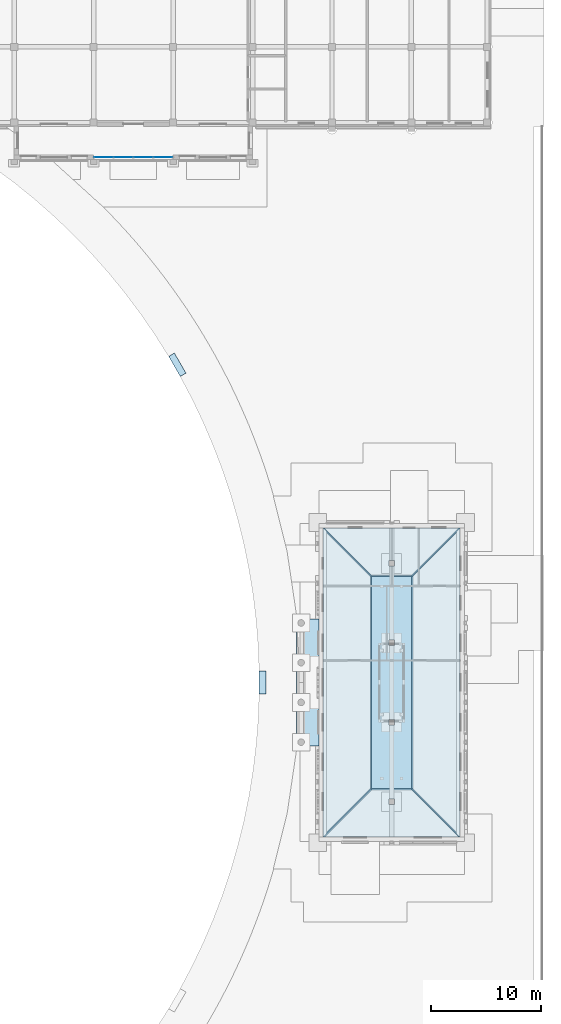
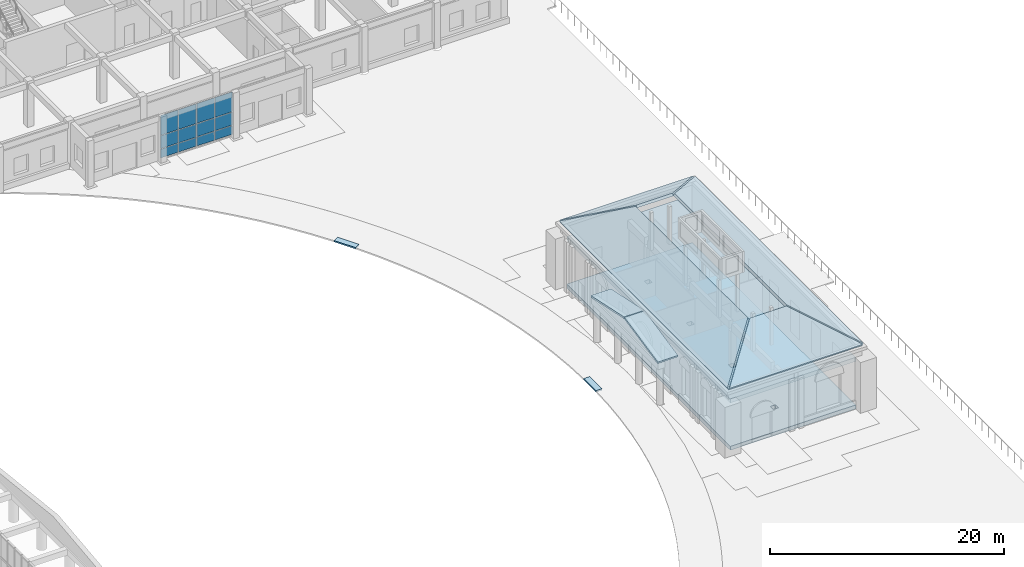
# One storey, part 71 of 131: 12 plates, 10 slabs, 1 element without a shape of its own.
"""IFC4 building model written with IfcOpenShell, lengths in metres."""

import ifcopenshell
import ifcopenshell.guid

model = None  # the IFC model being written
_history = None  # IfcOwnerHistory: only IFC2X3 demands one
_inside = {}  # id of a spatial element -> (the spatial element, [elements in it])
_under = {}  # id of a project, library or spatial element -> (it, [spatial elements below it])
_declared = {}  # id of a project -> (the project, [libraries it declares])
_typed = {}  # id of a type object -> (the type object, [elements of that type])
_made_of = {}  # id of a material, layer set ... -> (it, [elements and type objects made of it])


def new_model(schema):
    """Start an empty IFC model of exactly this schema.

    Asked for "IFC4X3", IfcOpenShell would pick the latest addendum, in which some entities
    have other attributes; the version numbers below select the first issue.
    IFC2X3 requires an IfcOwnerHistory on every rooted entity: one is made here for all.
    """
    global model, _history
    if schema == "IFC4X3":
        model = ifcopenshell.file(schema_version=(4, 3, 0, 0))
    else:
        model = ifcopenshell.file(schema=schema)
    _inside.clear()
    _under.clear()
    _declared.clear()
    _typed.clear()
    _made_of.clear()
    _history = None
    if model.schema == "IFC2X3":
        org = make("IfcOrganization", Name="unknown")
        user = make(
            "IfcPersonAndOrganization",
            ThePerson=make("IfcPerson", FamilyName="unknown"),
            TheOrganization=org,
        )
        app = make(
            "IfcApplication",
            ApplicationDeveloper=org,
            Version="unknown",
            ApplicationFullName="unknown",
            ApplicationIdentifier="unknown",
        )
        _history = make(
            "IfcOwnerHistory",
            OwningUser=user,
            OwningApplication=app,
            ChangeAction="ADDED",
            CreationDate=0,
        )
    return model


def make(cls, **values):
    """One entity of the class cls with the attributes given. An attribute that is None is left unset."""
    return model.create_entity(
        cls, **{name: value for name, value in values.items() if value is not None}
    )


def rooted(cls, **values):
    """An entity with a GlobalId (a new one), such as an element, a storey or a relation."""
    return make(cls, GlobalId=ifcopenshell.guid.new(), OwnerHistory=_history, **values)


def si_unit(unit_type, name, prefix=None):
    """IfcSIUnit, for example si_unit("LENGTHUNIT", "METRE", prefix="MILLI")."""
    return make("IfcSIUnit", UnitType=unit_type, Prefix=prefix, Name=name)


def assignment(units):
    """IfcUnitAssignment: the units of a project."""
    return None if units is None else make("IfcUnitAssignment", Units=units)


def point(xyz):
    """IfcCartesianPoint."""
    return None if xyz is None else make("IfcCartesianPoint", Coordinates=xyz)


def direction(xyz):
    """IfcDirection."""
    return None if xyz is None else make("IfcDirection", DirectionRatios=xyz)


def frame(location, z_axis=None, x_axis=None):
    """IfcAxis2Placement3D, a coordinate frame: its origin and axes. An axis left out is left unset."""
    return make(
        "IfcAxis2Placement3D",
        Location=point(location),
        Axis=direction(z_axis),
        RefDirection=direction(x_axis),
    )


def frame_2d(location, x_axis=None):
    """IfcAxis2Placement2D, a coordinate frame in the plane: its origin and x axis."""
    return make(
        "IfcAxis2Placement2D", Location=point(location), RefDirection=direction(x_axis)
    )


def origin():
    """The frame at (0, 0, 0) with its axes left unset."""
    return frame((0.0, 0.0, 0.0))


def origin_2d():
    """The frame at (0, 0) in the plane with its x axis left unset."""
    return frame_2d((0.0, 0.0))


def place(relative_to, where):
    """IfcLocalPlacement: puts the frame where relative to a parent placement (None: the world)."""
    return make(
        "IfcLocalPlacement", PlacementRelTo=relative_to, RelativePlacement=where
    )


def context(
    kind, dimensions, precision=None, world=None, true_north=None, identifier=None
):
    """IfcGeometricRepresentationContext, for example the 3D "Model" context."""
    return make(
        "IfcGeometricRepresentationContext",
        ContextIdentifier=identifier,
        ContextType=kind,
        CoordinateSpaceDimension=dimensions,
        Precision=precision,
        WorldCoordinateSystem=world,
        TrueNorth=true_north,
    )


def subcontext(parent, identifier, kind, view, scale=None):
    """IfcGeometricRepresentationSubContext, for example "Body" below "Model"."""
    return make(
        "IfcGeometricRepresentationSubContext",
        ContextIdentifier=identifier,
        ContextType=kind,
        ParentContext=parent,
        TargetScale=scale,
        TargetView=view,
    )


def project(units=None, contexts=None):
    """IfcProject with its units and contexts."""
    return rooted(
        "IfcProject",
        Name="project",
        RepresentationContexts=contexts,
        UnitsInContext=assignment(units),
    )


def spatial(cls, under=None, at=None, **own):
    """A site, building, storey or space (cls), placed at a placement, below another one or the project."""
    s = rooted(cls, ObjectPlacement=at, **own)
    if under is not None:
        _under.setdefault(under.id(), (under, []))[1].append(s)
    return s


def polyline(points):
    """IfcPolyline through the points."""
    return make("IfcPolyline", Points=[point(p) for p in points])


def profile(cls, at=None, kind="AREA", **sizes):
    """A parametric profile (cls). Its sizes go by their IFC names, for example OverallWidth=200.0."""
    return make(cls, ProfileType=kind, Position=at, **sizes)


def rectangle(**sizes):
    """IfcRectangleProfileDef."""
    return profile("IfcRectangleProfileDef", **sizes)


def outline(outer, holes=None, kind="AREA"):
    """IfcArbitraryClosedProfileDef: a profile drawn as a closed curve; with holes, ...WithVoids."""
    if holes is None:
        return make("IfcArbitraryClosedProfileDef", ProfileType=kind, OuterCurve=outer)
    return make(
        "IfcArbitraryProfileDefWithVoids",
        ProfileType=kind,
        OuterCurve=outer,
        InnerCurves=holes,
    )


def extrude(swept, where, along, depth):
    """IfcExtrudedAreaSolid: the profile swept, set in the frame where, extruded along a direction by depth."""
    return make(
        "IfcExtrudedAreaSolid",
        SweptArea=swept,
        Position=where,
        ExtrudedDirection=direction(along),
        Depth=depth,
    )


def shape(context_of_items, identifier, shape_type, items):
    """IfcShapeRepresentation: the items that make up one representation, for example the "Body"."""
    return make(
        "IfcShapeRepresentation",
        ContextOfItems=context_of_items,
        RepresentationIdentifier=identifier,
        RepresentationType=shape_type,
        Items=items,
    )


def material(Name=None, Category=None):
    """IfcMaterial."""
    return make("IfcMaterial", Name=Name, Category=Category)


def layer(
    of_material, thickness, ventilated=None, Name=None, Category=None, Priority=None
):
    """IfcMaterialLayer: one layer of a wall or slab, of a material (None: an air gap)."""
    return make(
        "IfcMaterialLayer",
        Material=of_material,
        LayerThickness=thickness,
        IsVentilated=ventilated,
        Name=Name,
        Category=Category,
        Priority=Priority,
    )


def layer_set(layers, Name=None):
    """IfcMaterialLayerSet."""
    return make("IfcMaterialLayerSet", MaterialLayers=layers, LayerSetName=Name)


def made_of(thing, what):
    """Note that an element or type object is made of a material, layer set ...; save() writes the relation."""
    if what is not None:
        _made_of.setdefault(what.id(), (what, []))[1].append(thing)
    return thing


def type_object(cls, material=None, **own):
    """A type object (cls), such as IfcWallType, which elements share."""
    return made_of(rooted(cls, **own), material)


def element(
    cls,
    number,
    at=None,
    inside=None,
    cuts=None,
    type_object=None,
    material=None,
    context=None,
    identifier="Body",
    shape_type=None,
    held_by="IfcProductDefinitionShape",
    body=None,
    shapes=None,
    **own,
):
    """One element of the class cls, such as IfcWall. Its Tag is "e" and its number.

    at: its placement. inside: the storey or other place that contains it. cuts: it is an
    opening in that element (IfcRelVoidsElement). A single representation is given by context,
    identifier, shape_type and body (its items); several are given by shapes. held_by: the class
    of the entity that holds the representations. save() writes the other relations.
    """
    e = rooted(cls, Tag="e%d" % number, ObjectPlacement=at, **own)
    if body is not None:
        shapes = [shape(context, identifier, shape_type, body)]
    if shapes is not None:
        e.Representation = make(held_by, Representations=shapes)
    if inside is not None:
        _inside.setdefault(inside.id(), (inside, []))[1].append(e)
    if cuts is not None:
        rooted(
            "IfcRelVoidsElement", RelatingBuildingElement=cuts, RelatedOpeningElement=e
        )
    if type_object is not None:
        _typed.setdefault(type_object.id(), (type_object, []))[1].append(e)
    return made_of(e, material)


def aggregate(whole, parts):
    """IfcRelAggregates: a whole, such as a stair, and the parts it consists of."""
    return rooted("IfcRelAggregates", RelatingObject=whole, RelatedObjects=parts)


def save(model, path):
    """Write the relations noted so far, then the file.

    IfcRelAggregates (storeys below a building ...), IfcRelContainedInSpatialStructure (elements
    in a storey), IfcRelDefinesByType, IfcRelAssociatesMaterial and IfcRelDeclares: one each for
    every whole, place, type object, material and project.
    """
    for whole, parts in _under.values():
        aggregate(whole, parts)
    for where, things in _inside.values():
        rooted(
            "IfcRelContainedInSpatialStructure",
            RelatedElements=things,
            RelatingStructure=where,
        )
    for kind, things in _typed.values():
        rooted("IfcRelDefinesByType", RelatedObjects=things, RelatingType=kind)
    for what, things in _made_of.values():
        rooted("IfcRelAssociatesMaterial", RelatedObjects=things, RelatingMaterial=what)
    for by, libraries in _declared.values():
        rooted("IfcRelDeclares", RelatingContext=by, RelatedDefinitions=libraries)
    model.write(path)


model = new_model("IFC4")

# Units and contexts
model_context = context("Model", 3, precision=1e-05, world=origin(), true_north=direction((0.0, 1.0)))
body_context = subcontext(model_context, "Body", "Model", "MODEL_VIEW")
ifc_project = project(units=[si_unit("LENGTHUNIT", "METRE"), si_unit("AREAUNIT", "SQUARE_METRE"), si_unit("VOLUMEUNIT", "CUBIC_METRE"), si_unit("PLANEANGLEUNIT", "RADIAN"), si_unit("MASSUNIT", "GRAM", prefix="KILO")], contexts=[model_context])

# Site, building, storey
site_placement = place(None, origin())
site = spatial("IfcSite", under=ifc_project, at=site_placement, CompositionType="ELEMENT")
building_placement = place(site_placement, origin())
building = spatial("IfcBuilding", under=site, at=building_placement, Name="Alderwick Market Hall", CompositionType="ELEMENT")
storey_placement = place(building_placement, frame((0.0, 0.0, 4.800048828125)))
storey = spatial("IfcBuildingStorey", under=building, at=storey_placement, Name="L00", CompositionType="ELEMENT", Elevation=4.800048828125)

# Curtain wall, plates
ifc_material_1 = material(Name="F Curtain Wall 1800 module")
curtain_wall_type = type_object("IfcCurtainWallType", Name="F Curtain Wall 1800 module", PredefinedType="NOTDEFINED", material=ifc_material_1)
curtain_wall_placement = place(storey_placement, origin())
curtain_wall = element("IfcCurtainWall", 1, at=curtain_wall_placement, inside=storey, type_object=curtain_wall_type, Name="F.pcw.L00.1", PredefinedType="NOTDEFINED")
ifc_material_2 = material(Name="Laminated glass 28 mm", Category="glass")
ifc_layer_1 = layer(ifc_material_2, 0.028076171875)
ifc_layer_set_1 = layer_set([ifc_layer_1], Name="Laminated glass 28 mm")
plate_type = type_object("IfcPlateType", Name="F Curtain Wall Glass Panel 28", PredefinedType="CURTAIN_PANEL", material=ifc_layer_set_1)
plate_1_placement = place(storey_placement, frame((200.68505859375, 126.800048828125, 0.06005859375), z_axis=(0.0, 0.0, 1.0), x_axis=(-1.0, 0.0, 0.0)))
plate_1 = element("IfcPlate", 2, at=plate_1_placement, type_object=plate_type, Name="F-CW panel 1.1", PredefinedType="CURTAIN_PANEL", context=body_context, shape_type="SweptSolid", body=[
    extrude(rectangle(XDim=1.7099609375, YDim=0.028076171875, at=origin_2d()), origin(), (0.0, 0.0, 1.0), 0.909912109375),
])
plate_2_placement = place(storey_placement, frame((200.68505859375, 126.800048828125, 1.02978515625), z_axis=(0.0, 0.0, 1.0), x_axis=(-1.0, 0.0, 0.0)))
plate_2 = element("IfcPlate", 3, at=plate_2_placement, type_object=plate_type, Name="F-CW panel 1.2", PredefinedType="CURTAIN_PANEL", context=body_context, shape_type="SweptSolid", body=[
    extrude(rectangle(XDim=1.7099609375, YDim=0.028076171875, at=origin_2d()), origin(), (0.0, 0.0, 1.0), 1.340087890625),
])
plate_3_placement = place(storey_placement, frame((200.68505859375, 126.800048828125, 2.429931640625), z_axis=(0.0, 0.0, 1.0), x_axis=(-1.0, 0.0, 0.0)))
plate_3 = element("IfcPlate", 4, at=plate_3_placement, type_object=plate_type, Name="F-CW panel 1.3", PredefinedType="CURTAIN_PANEL", context=body_context, shape_type="SweptSolid", body=[
    extrude(rectangle(XDim=1.7099609375, YDim=0.028076171875, at=origin_2d()), origin(), (0.0, 0.0, 1.0), 2.06005859375),
])
plate_4_placement = place(storey_placement, frame((198.89990234375, 126.800048828125, 0.06005859375), z_axis=(0.0, 0.0, 1.0), x_axis=(-1.0, 0.0, 0.0)))
plate_4 = element("IfcPlate", 5, at=plate_4_placement, type_object=plate_type, Name="F-CW panel 2.1", PredefinedType="CURTAIN_PANEL", context=body_context, shape_type="SweptSolid", body=[
    extrude(rectangle(XDim=1.739990234375, YDim=0.028076171875, at=origin_2d()), origin(), (0.0, 0.0, 1.0), 0.909912109375),
])
plate_5_placement = place(storey_placement, frame((198.89990234375, 126.800048828125, 1.02978515625), z_axis=(0.0, 0.0, 1.0), x_axis=(-1.0, 0.0, 0.0)))
plate_5 = element("IfcPlate", 6, at=plate_5_placement, type_object=plate_type, Name="F-CW panel 2.2", PredefinedType="CURTAIN_PANEL", context=body_context, shape_type="SweptSolid", body=[
    extrude(rectangle(XDim=1.739990234375, YDim=0.028076171875, at=origin_2d()), origin(), (0.0, 0.0, 1.0), 1.340087890625),
])
plate_6_placement = place(storey_placement, frame((198.89990234375, 126.800048828125, 2.429931640625), z_axis=(0.0, 0.0, 1.0), x_axis=(-1.0, 0.0, 0.0)))
plate_6 = element("IfcPlate", 7, at=plate_6_placement, type_object=plate_type, Name="F-CW panel 2.3", PredefinedType="CURTAIN_PANEL", context=body_context, shape_type="SweptSolid", body=[
    extrude(rectangle(XDim=1.739990234375, YDim=0.028076171875, at=origin_2d()), origin(), (0.0, 0.0, 1.0), 2.06005859375),
])
plate_7_placement = place(storey_placement, frame((197.10009765625, 126.800048828125, 0.06005859375), z_axis=(0.0, 0.0, 1.0), x_axis=(-1.0, 0.0, 0.0)))
plate_7 = element("IfcPlate", 8, at=plate_7_placement, type_object=plate_type, Name="F-CW panel 3.1", PredefinedType="CURTAIN_PANEL", context=body_context, shape_type="SweptSolid", body=[
    extrude(rectangle(XDim=1.739990234375, YDim=0.028076171875, at=origin_2d()), origin(), (0.0, 0.0, 1.0), 0.909912109375),
])
plate_8_placement = place(storey_placement, frame((197.10009765625, 126.800048828125, 1.02978515625), z_axis=(0.0, 0.0, 1.0), x_axis=(-1.0, 0.0, 0.0)))
plate_8 = element("IfcPlate", 9, at=plate_8_placement, type_object=plate_type, Name="F-CW panel 3.2", PredefinedType="CURTAIN_PANEL", context=body_context, shape_type="SweptSolid", body=[
    extrude(rectangle(XDim=1.739990234375, YDim=0.028076171875, at=origin_2d()), origin(), (0.0, 0.0, 1.0), 1.340087890625),
])
plate_9_placement = place(storey_placement, frame((197.10009765625, 126.800048828125, 2.429931640625), z_axis=(0.0, 0.0, 1.0), x_axis=(-1.0, 0.0, 0.0)))
plate_9 = element("IfcPlate", 10, at=plate_9_placement, type_object=plate_type, Name="F-CW panel 3.3", PredefinedType="CURTAIN_PANEL", context=body_context, shape_type="SweptSolid", body=[
    extrude(rectangle(XDim=1.739990234375, YDim=0.028076171875, at=origin_2d()), origin(), (0.0, 0.0, 1.0), 2.06005859375),
])
plate_10_placement = place(storey_placement, frame((195.31494140625, 126.800048828125, 0.06005859375), z_axis=(0.0, 0.0, 1.0), x_axis=(-1.0, 0.0, 0.0)))
plate_10 = element("IfcPlate", 11, at=plate_10_placement, type_object=plate_type, Name="F-CW panel 4.1", PredefinedType="CURTAIN_PANEL", context=body_context, shape_type="SweptSolid", body=[
    extrude(rectangle(XDim=1.7099609375, YDim=0.028076171875, at=origin_2d()), origin(), (0.0, 0.0, 1.0), 0.909912109375),
])
plate_11_placement = place(storey_placement, frame((195.31494140625, 126.800048828125, 1.02978515625), z_axis=(0.0, 0.0, 1.0), x_axis=(-1.0, 0.0, 0.0)))
plate_11 = element("IfcPlate", 12, at=plate_11_placement, type_object=plate_type, Name="F-CW panel 4.2", PredefinedType="CURTAIN_PANEL", context=body_context, shape_type="SweptSolid", body=[
    extrude(rectangle(XDim=1.7099609375, YDim=0.028076171875, at=origin_2d()), origin(), (0.0, 0.0, 1.0), 1.340087890625),
])
plate_12_placement = place(storey_placement, frame((195.31494140625, 126.800048828125, 2.429931640625), z_axis=(0.0, 0.0, 1.0), x_axis=(-1.0, 0.0, 0.0)))
plate_12 = element("IfcPlate", 13, at=plate_12_placement, type_object=plate_type, Name="F-CW panel 4.3", PredefinedType="CURTAIN_PANEL", context=body_context, shape_type="SweptSolid", body=[
    extrude(rectangle(XDim=1.7099609375, YDim=0.028076171875, at=origin_2d()), origin(), (0.0, 0.0, 1.0), 2.06005859375),
])
aggregate(curtain_wall, [plate_1, plate_2, plate_3, plate_4, plate_5, plate_6, plate_7, plate_8, plate_9, plate_10, plate_11, plate_12])

# Slabs
ifc_material_3 = material(Name="Concrete 4000 psi (f'c 28 MPa)", Category="concrete")
ifc_layer_2 = layer(ifc_material_3, 0.419921875)
ifc_layer_set_2 = layer_set([ifc_layer_2], Name="Concrete 4000 psi (f'c 28 MPa)")
slab_type_1 = type_object("IfcSlabType", Name="G Attic floor slab 420", PredefinedType="FLOOR", material=ifc_layer_set_2)
slab_1_placement = place(storey_placement, frame((0.0, 0.0, 4.550048828125)))
element("IfcSlab", 14, at=slab_1_placement, inside=storey, type_object=slab_type_1, Name="Attic floor slab", PredefinedType="FLOOR", context=body_context, shape_type="SweptSolid", body=[
    extrude(outline(polyline([(215.199951171875, 65.199951171875), (227.60009765625, 65.199951171875), (227.60009765625, 93.199951171875), (215.199951171875, 93.199951171875), (215.199951171875, 65.199951171875)])), origin(), (0.0, 0.0, 1.0), 0.419921875),
])
ifc_layer_3 = layer(ifc_material_3, 0.199951171875)
ifc_layer_set_3 = layer_set([ifc_layer_3], Name="Concrete 4000 psi (f'c 28 MPa)")
slab_type_2 = type_object("IfcSlabType", Name="G Ground slab 200", PredefinedType="BASESLAB", material=ifc_layer_set_3)
slab_2_placement = place(storey_placement, frame((0.0, 0.0, -0.400146484375)))
element("IfcSlab", 15, at=slab_2_placement, inside=storey, type_object=slab_type_2, Name="Ground slab", PredefinedType="BASESLAB", context=body_context, shape_type="SweptSolid", body=[
    extrude(outline(polyline([(215.199951171875, 65.199951171875), (227.60009765625, 65.199951171875), (227.60009765625, 93.199951171875), (215.199951171875, 93.199951171875), (215.199951171875, 65.199951171875)]), holes=[polyline([(221.14990234375, 68.14990234375), (221.64990234375, 68.14990234375), (221.64990234375, 68.64990234375), (221.14990234375, 68.64990234375), (221.14990234375, 68.14990234375)]), polyline([(221.14990234375, 75.35009765625), (221.64990234375, 75.35009765625), (221.64990234375, 75.85009765625), (221.14990234375, 75.85009765625), (221.14990234375, 75.35009765625)]), polyline([(221.14990234375, 82.550048828125), (221.64990234375, 82.550048828125), (221.64990234375, 83.050048828125), (221.14990234375, 83.050048828125), (221.14990234375, 82.550048828125)]), polyline([(221.14990234375, 89.75), (221.64990234375, 89.75), (221.64990234375, 90.25), (221.14990234375, 90.25), (221.14990234375, 89.75)])]), origin(), (0.0, 0.0, 1.0), 0.400146484375),
])
ifc_material_4 = material(Name="Concrete 5000 psi (f'c 35 MPa)", Category="concrete")
ifc_layer_4 = layer(ifc_material_4, 0.199951171875)
ifc_layer_set_4 = layer_set([ifc_layer_4], Name="Concrete 5000 psi (f'c 35 MPa)")
slab_type_3 = type_object("IfcSlabType", Name="G Portico roof 200", PredefinedType="ROOF", material=ifc_layer_set_4)
slab_3_placement = place(storey_placement, frame((212.800048828125, 73.45849609375, 4.6455078125), z_axis=(0.0, -0.207929406478, 0.978143834986), x_axis=(0.0, 0.978143834986, 0.207929406478)))
element("IfcSlab", 16, at=slab_3_placement, inside=storey, type_object=slab_type_3, Name="Portico roof A", PredefinedType="ROOF", context=body_context, shape_type="SweptSolid", body=[
    extrude(outline(polyline([(0.0, 0.0), (5.827313906195182, 0.0), (5.827313906195182, -2.0), (0.0, -2.0), (0.0, 0.0)])), origin(), (0.0, 0.0, -1.0), 0.199951171875),
])
slab_4_placement = place(storey_placement, frame((212.800048828125, 84.941650390625, 4.6455078125), z_axis=(0.0, 0.207929406478, 0.978143834986), x_axis=(1.0, 0.0, 0.0)))
element("IfcSlab", 17, at=slab_4_placement, inside=storey, type_object=slab_type_3, Name="Portico roof B", PredefinedType="ROOF", context=body_context, shape_type="SweptSolid", body=[
    extrude(outline(polyline([(0.0, 0.0), (2.0, 0.0), (2.0, -5.827313906195182), (0.0, -5.827313906195182), (0.0, 0.0)])), origin(), (0.0, 0.0, -1.0), 0.199951171875),
])
ifc_layer_5 = layer(ifc_material_4, 0.25)
ifc_layer_set_5 = layer_set([ifc_layer_5], Name="Concrete 5000 psi (f'c 35 MPa)")
slab_type_4 = type_object("IfcSlabType", Name="G Roof deck 250", PredefinedType="ROOF", material=ifc_layer_set_5)
slab_5_placement = place(storey_placement, frame((214.675048828125, 64.800048828125, 6.516357421875), z_axis=(-0.500023664962, 0.0, 0.866011740381), x_axis=(0.654647768613, 0.654647768613, 0.377984917822)))
element("IfcSlab", 18, at=slab_5_placement, inside=storey, type_object=slab_type_4, Name="Roof deck W", PredefinedType="ROOF", context=body_context, shape_type="SweptSolid", body=[
    extrude(outline(polyline([(0.0, 0.0), (7.3322618028571185, 4.440892098500626e-16), (19.901466994999076, 14.51389699013383), (18.853887701270626, 21.770937762307355), (0.0, 0.0)])), origin(), (0.0, 0.0, -1.0), 0.25),
])
slab_6_placement = place(storey_placement, frame((228.125, 64.800048828125, 6.516357421875), z_axis=(0.500023664962, 0.0, 0.866011740381), x_axis=(0.0, 1.0, 0.0)))
element("IfcSlab", 19, at=slab_6_placement, inside=storey, type_object=slab_type_4, Name="Roof deck E", PredefinedType="ROOF", context=body_context, shape_type="SweptSolid", body=[
    extrude(outline(polyline([(0.0, 0.0), (28.800048828125, 0.0), (24.0, 5.542706414131397), (4.800048828125, 5.542706414131397), (0.0, 0.0)])), origin(), (0.0, 0.0, -1.0), 0.25),
])
slab_7_placement = place(storey_placement, frame((214.800048828125, 64.675048828125, 6.516357421875), z_axis=(0.0, -0.500023664962, 0.866011740381), x_axis=(1.0, 0.0, 0.0)))
element("IfcSlab", 20, at=slab_7_placement, inside=storey, type_object=slab_type_4, Name="Roof deck S", PredefinedType="ROOF", context=body_context, shape_type="SweptSolid", body=[
    extrude(outline(polyline([(0.0, 0.0), (13.199951171875, 0.0), (8.39990234375, 5.5427064141313975), (4.800048828125, 5.5427064141313975), (0.0, 0.0)])), origin(), (0.0, 0.0, -1.0), 0.25),
])
slab_8_placement = place(storey_placement, frame((214.800048828125, 93.72509765625, 6.516357421875), z_axis=(0.0, 0.500023664962, 0.866011740381), x_axis=(0.654647768613, -0.654647768613, 0.377984917822)))
element("IfcSlab", 21, at=slab_8_placement, inside=storey, type_object=slab_type_4, Name="Roof deck N", PredefinedType="ROOF", context=body_context, shape_type="SweptSolid", body=[
    extrude(outline(polyline([(0.0, 0.0), (7.3322618028571185, -1.1102230246251565e-16), (9.688897874193831, 2.7212518739051585), (8.641318580465382, 9.978292646078685), (0.0, 0.0)])), origin(), (0.0, 0.0, -1.0), 0.25),
])
ifc_layer_6 = layer(ifc_material_3, 0.14990234375)
ifc_layer_set_6 = layer_set([ifc_layer_6], Name="Concrete 4000 psi (f'c 28 MPa)")
slab_type_5 = type_object("IfcSlabType", Name="S Terrace Deck 150", PredefinedType="USERDEFINED", material=ifc_layer_set_6)
slab_9_placement = place(storey_placement, frame((0.0, 0.0, -0.150146484375)))
element("IfcSlab", 22, at=slab_9_placement, inside=storey, type_object=slab_type_5, Name="Stair arrival pad 4.2", ObjectType="PAVING SLAB", PredefinedType="USERDEFINED", context=body_context, shape_type="SweptSolid", body=[
    extrude(outline(polyline([(209.40087890625, 80.25), (209.40087890625, 78.14990234375), (210.0009765625, 78.14990234375), (210.0009765625, 80.25), (209.40087890625, 80.25)])), origin(), (0.0, 0.0, 1.0), 0.150146484375),
])
slab_10_placement = place(storey_placement, frame((0.0, 0.0, -0.150146484375)))
element("IfcSlab", 23, at=slab_10_placement, inside=storey, type_object=slab_type_5, Name="Stair arrival pad 4.3", ObjectType="PAVING SLAB", PredefinedType="USERDEFINED", context=body_context, shape_type="SweptSolid", body=[
    extrude(outline(polyline([(201.19921875, 108.759765625), (202.2490234375, 106.941162109375), (202.768798828125, 107.2412109375), (201.71875, 109.059814453125), (201.19921875, 108.759765625)])), origin(), (0.0, 0.0, 1.0), 0.150146484375),
])

save(model, "model.ifc")
